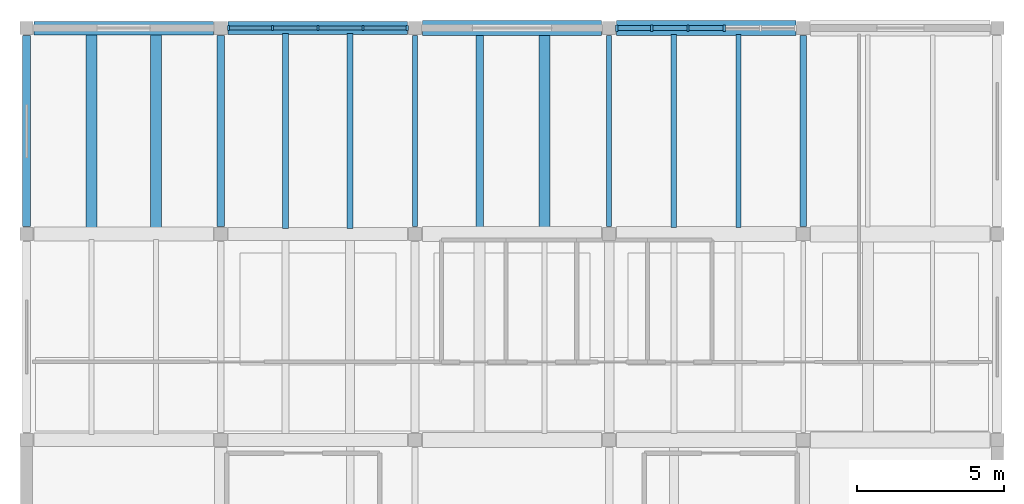
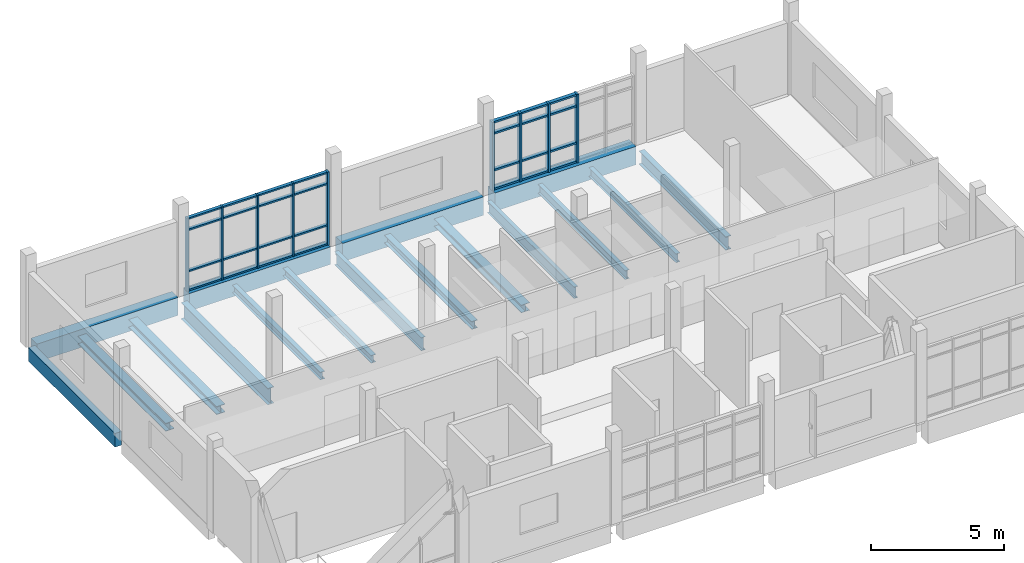
# One storey, part 4 of 10: 37 members, 17 beams, 2 elements without a shape of their own.
"""IFC4 building model written with IfcOpenShell, lengths in metres."""

from ifc_helpers import new_model, si_unit, direction, frame, origin, origin_2d, place, context, subcontext, project, spatial, rectangle, i_section, extrude, material, material_profile, profile_set, type_object, element, aggregate, save


model = new_model("IFC4")

# Units and contexts
model_context = context("Model", 3, precision=1e-05, world=origin(), true_north=direction((0.0, 1.0)))
body_context = subcontext(model_context, "Body", "Model", "MODEL_VIEW")
ifc_project = project(units=[si_unit("LENGTHUNIT", "METRE"), si_unit("AREAUNIT", "SQUARE_METRE"), si_unit("VOLUMEUNIT", "CUBIC_METRE"), si_unit("PLANEANGLEUNIT", "RADIAN"), si_unit("MASSUNIT", "GRAM", prefix="KILO")], contexts=[model_context])

# Site, building, storey
site_placement = place(None, origin())
site = spatial("IfcSite", under=ifc_project, at=site_placement, CompositionType="ELEMENT")
building_placement = place(site_placement, origin())
building = spatial("IfcBuilding", under=site, at=building_placement, Name="Ciguamira Faculty of Natural Sciences", CompositionType="ELEMENT")
storey_placement = place(building_placement, frame((0.0, 0.0, 46.199951171875)))
storey = spatial("IfcBuildingStorey", under=building, at=storey_placement, Name="L11", CompositionType="ELEMENT", Elevation=46.199951171875)

# Curtain wall, members
ifc_material_1 = material(Name="Anodized aluminium curtain wall", Category="aluminium")
curtain_wall_type_1 = type_object("IfcCurtainWallType", Name="CurtainWall_CW-05", PredefinedType="USERDEFINED", material=ifc_material_1)
curtain_wall_1_placement = place(storey_placement, origin())
curtain_wall_1 = element("IfcCurtainWall", 1, at=curtain_wall_1_placement, inside=storey, type_object=curtain_wall_type_1, Name="L11 unitised curtain wall 0173", ObjectType="UNITISED CURTAIN WALL", PredefinedType="USERDEFINED")
ifc_material_2 = material(Name="Anodized aluminium mullion", Category="aluminium")
ifc_material_profile_1 = material_profile(ifc_material_2, rectangle(XDim=0.070068359375, YDim=0.179931640625, at=origin_2d()), Name="ALU-MUL-70X180")
ifc_profile_set_1 = profile_set([ifc_material_profile_1], Name="Anodized aluminium mullion")
member_type_1 = type_object("IfcMemberType", Name="CWMullion_CWM-02", PredefinedType="MULLION", material=ifc_profile_set_1)
member_1_placement = place(storey_placement, frame((77.360107421875, 115.0, 0.0), z_axis=(0.0, 0.0, 1.0), x_axis=(1.0, 0.0, 0.0)))
member_1 = element("IfcMember", 2, at=member_1_placement, type_object=member_type_1, Name="CW-05 mullion 1", PredefinedType="MULLION", context=body_context, shape_type="SweptSolid", body=[
    extrude(rectangle(XDim=0.070068359375, YDim=0.179931640625, at=origin_2d()), origin(), (0.0, 0.0, 1.0), 3.344970703125),
])
member_2_placement = place(storey_placement, frame((78.862548828125, 115.0, 0.0), z_axis=(0.0, 0.0, 1.0), x_axis=(1.0, 0.0, 0.0)))
member_2 = element("IfcMember", 3, at=member_2_placement, type_object=member_type_1, Name="CW-05 mullion 2", PredefinedType="MULLION", context=body_context, shape_type="SweptSolid", body=[
    extrude(rectangle(XDim=0.070068359375, YDim=0.179931640625, at=origin_2d()), origin(), (0.0, 0.0, 1.0), 3.344970703125),
])
member_3_placement = place(storey_placement, frame((80.39990234375, 115.0, 0.0), z_axis=(0.0, 0.0, 1.0), x_axis=(1.0, 0.0, 0.0)))
member_3 = element("IfcMember", 4, at=member_3_placement, type_object=member_type_1, Name="CW-05 mullion 3", PredefinedType="MULLION", context=body_context, shape_type="SweptSolid", body=[
    extrude(rectangle(XDim=0.070068359375, YDim=0.179931640625, at=origin_2d()), origin(), (0.0, 0.0, 1.0), 3.344970703125),
])
member_4_placement = place(storey_placement, frame((81.9375, 115.0, 0.0), z_axis=(0.0, 0.0, 1.0), x_axis=(1.0, 0.0, 0.0)))
member_4 = element("IfcMember", 5, at=member_4_placement, type_object=member_type_1, Name="CW-05 mullion 4", PredefinedType="MULLION", context=body_context, shape_type="SweptSolid", body=[
    extrude(rectangle(XDim=0.070068359375, YDim=0.179931640625, at=origin_2d()), origin(), (0.0, 0.0, 1.0), 3.344970703125),
])
member_5_placement = place(storey_placement, frame((83.43994140625, 115.0, 0.0), z_axis=(0.0, 0.0, 1.0), x_axis=(1.0, 0.0, 0.0)))
member_5 = element("IfcMember", 6, at=member_5_placement, type_object=member_type_1, Name="CW-05 mullion 5", PredefinedType="MULLION", context=body_context, shape_type="SweptSolid", body=[
    extrude(rectangle(XDim=0.070068359375, YDim=0.179931640625, at=origin_2d()), origin(), (0.0, 0.0, 1.0), 3.344970703125),
])

curtain_wall_type_2 = type_object("IfcCurtainWallType", Name="CurtainWall_CW-06", PredefinedType="USERDEFINED", material=ifc_material_1)
curtain_wall_2_placement = place(storey_placement, origin())
curtain_wall_2 = element("IfcCurtainWall", 7, at=curtain_wall_2_placement, inside=storey, type_object=curtain_wall_type_2, Name="L11 unitised curtain wall 0174", ObjectType="UNITISED CURTAIN WALL", PredefinedType="USERDEFINED")
ifc_material_profile_2 = material_profile(ifc_material_2, rectangle(XDim=0.080078125, YDim=0.219970703125, at=origin_2d()), Name="ALU-MUL-80X220")
ifc_profile_set_2 = profile_set([ifc_material_profile_2], Name="Anodized aluminium mullion")
member_type_2 = type_object("IfcMemberType", Name="CWMullion_CWM-03", PredefinedType="MULLION", material=ifc_profile_set_2)
member_6_placement = place(storey_placement, frame((90.56494140625, 115.0, 0.0), z_axis=(0.0, 0.0, 1.0), x_axis=(1.0, 0.0, 0.0)))
member_6 = element("IfcMember", 8, at=member_6_placement, type_object=member_type_2, Name="CW-06 mullion 1", PredefinedType="MULLION", context=body_context, shape_type="SweptSolid", body=[
    extrude(rectangle(XDim=0.080078125, YDim=0.219970703125, at=origin_2d()), origin(), (0.0, 0.0, 1.0), 3.135009765625),
])
member_7_placement = place(storey_placement, frame((91.7548828125, 115.0, 0.0), z_axis=(0.0, 0.0, 1.0), x_axis=(1.0, 0.0, 0.0)))
member_7 = element("IfcMember", 9, at=member_7_placement, type_object=member_type_2, Name="CW-06 mullion 2", PredefinedType="MULLION", context=body_context, shape_type="SweptSolid", body=[
    extrude(rectangle(XDim=0.080078125, YDim=0.219970703125, at=origin_2d()), origin(), (0.0, 0.0, 1.0), 3.135009765625),
])
member_8_placement = place(storey_placement, frame((92.985107421875, 115.0, 0.0), z_axis=(0.0, 0.0, 1.0), x_axis=(1.0, 0.0, 0.0)))
member_8 = element("IfcMember", 10, at=member_8_placement, type_object=member_type_2, Name="CW-06 mullion 3", PredefinedType="MULLION", context=body_context, shape_type="SweptSolid", body=[
    extrude(rectangle(XDim=0.080078125, YDim=0.219970703125, at=origin_2d()), origin(), (0.0, 0.0, 1.0), 3.135009765625),
])
member_9_placement = place(storey_placement, frame((94.215087890625, 115.0, 0.0), z_axis=(0.0, 0.0, 1.0), x_axis=(1.0, 0.0, 0.0)))
member_9 = element("IfcMember", 11, at=member_9_placement, type_object=member_type_2, Name="CW-06 mullion 4", PredefinedType="MULLION", context=body_context, shape_type="SweptSolid", body=[
    extrude(rectangle(XDim=0.080078125, YDim=0.219970703125, at=origin_2d()), origin(), (0.0, 0.0, 1.0), 3.135009765625),
])

# Member
ifc_material_3 = material(Name="Anodized aluminium transom", Category="aluminium")
ifc_material_profile_3 = material_profile(ifc_material_3, rectangle(XDim=0.070068359375, YDim=0.139892578125, at=origin_2d()), Name="ALU-TRN-70X140")
ifc_profile_set_3 = profile_set([ifc_material_profile_3], Name="Anodized aluminium transom")
member_type_3 = type_object("IfcMemberType", Name="CWTransom_CWT-02", PredefinedType="USERDEFINED", material=ifc_profile_set_3)
member_10_placement = place(storey_placement, frame((77.39501953125, 115.0, 0.03515625), z_axis=(1.0, 0.0, 0.0), x_axis=(0.0, 0.0, 1.0)))
member_10 = element("IfcMember", 12, at=member_10_placement, type_object=member_type_3, Name="CW-05 transom 1.1", ObjectType="TRANSOM", PredefinedType="USERDEFINED", context=body_context, shape_type="SweptSolid", body=[
    extrude(rectangle(XDim=0.070068359375, YDim=0.139892578125, at=origin_2d()), origin(), (0.0, 0.0, 1.0), 1.432373046875),
])

member_11_placement = place(storey_placement, frame((77.39501953125, 115.0, 0.900146484375), z_axis=(1.0, 0.0, 0.0), x_axis=(0.0, 0.0, 1.0)))
member_11 = element("IfcMember", 13, at=member_11_placement, type_object=member_type_3, Name="CW-05 transom 1.2", ObjectType="TRANSOM", PredefinedType="USERDEFINED", context=body_context, shape_type="SweptSolid", body=[
    extrude(rectangle(XDim=0.070068359375, YDim=0.139892578125, at=origin_2d()), origin(), (0.0, 0.0, 1.0), 1.432373046875),
])

member_12_placement = place(storey_placement, frame((77.39501953125, 115.0, 2.795166015625), z_axis=(1.0, 0.0, 0.0), x_axis=(0.0, 0.0, 1.0)))
member_12 = element("IfcMember", 14, at=member_12_placement, type_object=member_type_3, Name="CW-05 transom 1.3", ObjectType="TRANSOM", PredefinedType="USERDEFINED", context=body_context, shape_type="SweptSolid", body=[
    extrude(rectangle(XDim=0.070068359375, YDim=0.139892578125, at=origin_2d()), origin(), (0.0, 0.0, 1.0), 1.432373046875),
])

member_13_placement = place(storey_placement, frame((77.39501953125, 115.0, 3.31005859375), z_axis=(1.0, 0.0, 0.0), x_axis=(0.0, 0.0, 1.0)))
member_13 = element("IfcMember", 15, at=member_13_placement, type_object=member_type_3, Name="CW-05 transom 1.4", ObjectType="TRANSOM", PredefinedType="USERDEFINED", context=body_context, shape_type="SweptSolid", body=[
    extrude(rectangle(XDim=0.070068359375, YDim=0.139892578125, at=origin_2d()), origin(), (0.0, 0.0, 1.0), 1.432373046875),
])

member_14_placement = place(storey_placement, frame((78.8974609375, 115.0, 0.03515625), z_axis=(1.0, 0.0, 0.0), x_axis=(0.0, 0.0, 1.0)))
member_14 = element("IfcMember", 16, at=member_14_placement, type_object=member_type_3, Name="CW-05 transom 2.1", ObjectType="TRANSOM", PredefinedType="USERDEFINED", context=body_context, shape_type="SweptSolid", body=[
    extrude(rectangle(XDim=0.070068359375, YDim=0.139892578125, at=origin_2d()), origin(), (0.0, 0.0, 1.0), 1.467529296875),
])

member_15_placement = place(storey_placement, frame((78.8974609375, 115.0, 0.900146484375), z_axis=(1.0, 0.0, 0.0), x_axis=(0.0, 0.0, 1.0)))
member_15 = element("IfcMember", 17, at=member_15_placement, type_object=member_type_3, Name="CW-05 transom 2.2", ObjectType="TRANSOM", PredefinedType="USERDEFINED", context=body_context, shape_type="SweptSolid", body=[
    extrude(rectangle(XDim=0.070068359375, YDim=0.139892578125, at=origin_2d()), origin(), (0.0, 0.0, 1.0), 1.467529296875),
])

member_16_placement = place(storey_placement, frame((78.8974609375, 115.0, 2.795166015625), z_axis=(1.0, 0.0, 0.0), x_axis=(0.0, 0.0, 1.0)))
member_16 = element("IfcMember", 18, at=member_16_placement, type_object=member_type_3, Name="CW-05 transom 2.3", ObjectType="TRANSOM", PredefinedType="USERDEFINED", context=body_context, shape_type="SweptSolid", body=[
    extrude(rectangle(XDim=0.070068359375, YDim=0.139892578125, at=origin_2d()), origin(), (0.0, 0.0, 1.0), 1.467529296875),
])

member_17_placement = place(storey_placement, frame((78.8974609375, 115.0, 3.31005859375), z_axis=(1.0, 0.0, 0.0), x_axis=(0.0, 0.0, 1.0)))
member_17 = element("IfcMember", 19, at=member_17_placement, type_object=member_type_3, Name="CW-05 transom 2.4", ObjectType="TRANSOM", PredefinedType="USERDEFINED", context=body_context, shape_type="SweptSolid", body=[
    extrude(rectangle(XDim=0.070068359375, YDim=0.139892578125, at=origin_2d()), origin(), (0.0, 0.0, 1.0), 1.467529296875),
])

member_18_placement = place(storey_placement, frame((80.43505859375, 115.0, 0.03515625), z_axis=(1.0, 0.0, 0.0), x_axis=(0.0, 0.0, 1.0)))
member_18 = element("IfcMember", 20, at=member_18_placement, type_object=member_type_3, Name="CW-05 transom 3.1", ObjectType="TRANSOM", PredefinedType="USERDEFINED", context=body_context, shape_type="SweptSolid", body=[
    extrude(rectangle(XDim=0.070068359375, YDim=0.139892578125, at=origin_2d()), origin(), (0.0, 0.0, 1.0), 1.467529296875),
])

member_19_placement = place(storey_placement, frame((80.43505859375, 115.0, 0.900146484375), z_axis=(1.0, 0.0, 0.0), x_axis=(0.0, 0.0, 1.0)))
member_19 = element("IfcMember", 21, at=member_19_placement, type_object=member_type_3, Name="CW-05 transom 3.2", ObjectType="TRANSOM", PredefinedType="USERDEFINED", context=body_context, shape_type="SweptSolid", body=[
    extrude(rectangle(XDim=0.070068359375, YDim=0.139892578125, at=origin_2d()), origin(), (0.0, 0.0, 1.0), 1.467529296875),
])

member_20_placement = place(storey_placement, frame((80.43505859375, 115.0, 2.795166015625), z_axis=(1.0, 0.0, 0.0), x_axis=(0.0, 0.0, 1.0)))
member_20 = element("IfcMember", 22, at=member_20_placement, type_object=member_type_3, Name="CW-05 transom 3.3", ObjectType="TRANSOM", PredefinedType="USERDEFINED", context=body_context, shape_type="SweptSolid", body=[
    extrude(rectangle(XDim=0.070068359375, YDim=0.139892578125, at=origin_2d()), origin(), (0.0, 0.0, 1.0), 1.467529296875),
])

member_21_placement = place(storey_placement, frame((80.43505859375, 115.0, 3.31005859375), z_axis=(1.0, 0.0, 0.0), x_axis=(0.0, 0.0, 1.0)))
member_21 = element("IfcMember", 23, at=member_21_placement, type_object=member_type_3, Name="CW-05 transom 3.4", ObjectType="TRANSOM", PredefinedType="USERDEFINED", context=body_context, shape_type="SweptSolid", body=[
    extrude(rectangle(XDim=0.070068359375, YDim=0.139892578125, at=origin_2d()), origin(), (0.0, 0.0, 1.0), 1.467529296875),
])

member_22_placement = place(storey_placement, frame((81.972412109375, 115.0, 0.03515625), z_axis=(1.0, 0.0, 0.0), x_axis=(0.0, 0.0, 1.0)))
member_22 = element("IfcMember", 24, at=member_22_placement, type_object=member_type_3, Name="CW-05 transom 4.1", ObjectType="TRANSOM", PredefinedType="USERDEFINED", context=body_context, shape_type="SweptSolid", body=[
    extrude(rectangle(XDim=0.070068359375, YDim=0.139892578125, at=origin_2d()), origin(), (0.0, 0.0, 1.0), 1.4326171875),
])

member_23_placement = place(storey_placement, frame((81.972412109375, 115.0, 0.900146484375), z_axis=(1.0, 0.0, 0.0), x_axis=(0.0, 0.0, 1.0)))
member_23 = element("IfcMember", 25, at=member_23_placement, type_object=member_type_3, Name="CW-05 transom 4.2", ObjectType="TRANSOM", PredefinedType="USERDEFINED", context=body_context, shape_type="SweptSolid", body=[
    extrude(rectangle(XDim=0.070068359375, YDim=0.139892578125, at=origin_2d()), origin(), (0.0, 0.0, 1.0), 1.4326171875),
])

member_24_placement = place(storey_placement, frame((81.972412109375, 115.0, 2.795166015625), z_axis=(1.0, 0.0, 0.0), x_axis=(0.0, 0.0, 1.0)))
member_24 = element("IfcMember", 26, at=member_24_placement, type_object=member_type_3, Name="CW-05 transom 4.3", ObjectType="TRANSOM", PredefinedType="USERDEFINED", context=body_context, shape_type="SweptSolid", body=[
    extrude(rectangle(XDim=0.070068359375, YDim=0.139892578125, at=origin_2d()), origin(), (0.0, 0.0, 1.0), 1.4326171875),
])

member_25_placement = place(storey_placement, frame((81.972412109375, 115.0, 3.31005859375), z_axis=(1.0, 0.0, 0.0), x_axis=(0.0, 0.0, 1.0)))
member_25 = element("IfcMember", 27, at=member_25_placement, type_object=member_type_3, Name="CW-05 transom 4.4", ObjectType="TRANSOM", PredefinedType="USERDEFINED", context=body_context, shape_type="SweptSolid", body=[
    extrude(rectangle(XDim=0.070068359375, YDim=0.139892578125, at=origin_2d()), origin(), (0.0, 0.0, 1.0), 1.4326171875),
])

aggregate(curtain_wall_1, [member_1, member_2, member_3, member_4, member_5, member_10, member_11, member_12, member_13, member_14, member_15, member_16, member_17, member_18, member_19, member_20, member_21, member_22, member_23, member_24, member_25])

ifc_material_profile_4 = material_profile(ifc_material_3, rectangle(XDim=0.080078125, YDim=0.159912109375, at=origin_2d()), Name="ALU-TRN-80X160")
ifc_profile_set_4 = profile_set([ifc_material_profile_4], Name="Anodized aluminium transom")
member_type_4 = type_object("IfcMemberType", Name="CWTransom_CWT-03", PredefinedType="USERDEFINED", material=ifc_profile_set_4)
member_26_placement = place(storey_placement, frame((90.60498046875, 115.0, 0.0400390625), z_axis=(1.0, 0.0, 0.0), x_axis=(0.0, 0.0, 1.0)))
member_26 = element("IfcMember", 28, at=member_26_placement, type_object=member_type_4, Name="CW-06 transom 1.1", ObjectType="TRANSOM", PredefinedType="USERDEFINED", context=body_context, shape_type="SweptSolid", body=[
    extrude(rectangle(XDim=0.080078125, YDim=0.159912109375, at=origin_2d()), origin(), (0.0, 0.0, 1.0), 1.110107421875),
])

member_27_placement = place(storey_placement, frame((90.60498046875, 115.0, 0.900146484375), z_axis=(1.0, 0.0, 0.0), x_axis=(0.0, 0.0, 1.0)))
member_27 = element("IfcMember", 29, at=member_27_placement, type_object=member_type_4, Name="CW-06 transom 1.2", ObjectType="TRANSOM", PredefinedType="USERDEFINED", context=body_context, shape_type="SweptSolid", body=[
    extrude(rectangle(XDim=0.080078125, YDim=0.159912109375, at=origin_2d()), origin(), (0.0, 0.0, 1.0), 1.110107421875),
])

member_28_placement = place(storey_placement, frame((90.60498046875, 115.0, 2.5849609375), z_axis=(1.0, 0.0, 0.0), x_axis=(0.0, 0.0, 1.0)))
member_28 = element("IfcMember", 30, at=member_28_placement, type_object=member_type_4, Name="CW-06 transom 1.3", ObjectType="TRANSOM", PredefinedType="USERDEFINED", context=body_context, shape_type="SweptSolid", body=[
    extrude(rectangle(XDim=0.080078125, YDim=0.159912109375, at=origin_2d()), origin(), (0.0, 0.0, 1.0), 1.110107421875),
])

member_29_placement = place(storey_placement, frame((90.60498046875, 115.0, 3.094970703125), z_axis=(1.0, 0.0, 0.0), x_axis=(0.0, 0.0, 1.0)))
member_29 = element("IfcMember", 31, at=member_29_placement, type_object=member_type_4, Name="CW-06 transom 1.4", ObjectType="TRANSOM", PredefinedType="USERDEFINED", context=body_context, shape_type="SweptSolid", body=[
    extrude(rectangle(XDim=0.080078125, YDim=0.159912109375, at=origin_2d()), origin(), (0.0, 0.0, 1.0), 1.110107421875),
])

member_30_placement = place(storey_placement, frame((91.794921875, 115.0, 0.0400390625), z_axis=(1.0, 0.0, 0.0), x_axis=(0.0, 0.0, 1.0)))
member_30 = element("IfcMember", 32, at=member_30_placement, type_object=member_type_4, Name="CW-06 transom 2.1", ObjectType="TRANSOM", PredefinedType="USERDEFINED", context=body_context, shape_type="SweptSolid", body=[
    extrude(rectangle(XDim=0.080078125, YDim=0.159912109375, at=origin_2d()), origin(), (0.0, 0.0, 1.0), 1.150146484375),
])

member_31_placement = place(storey_placement, frame((91.794921875, 115.0, 0.900146484375), z_axis=(1.0, 0.0, 0.0), x_axis=(0.0, 0.0, 1.0)))
member_31 = element("IfcMember", 33, at=member_31_placement, type_object=member_type_4, Name="CW-06 transom 2.2", ObjectType="TRANSOM", PredefinedType="USERDEFINED", context=body_context, shape_type="SweptSolid", body=[
    extrude(rectangle(XDim=0.080078125, YDim=0.159912109375, at=origin_2d()), origin(), (0.0, 0.0, 1.0), 1.150146484375),
])

member_32_placement = place(storey_placement, frame((91.794921875, 115.0, 2.5849609375), z_axis=(1.0, 0.0, 0.0), x_axis=(0.0, 0.0, 1.0)))
member_32 = element("IfcMember", 34, at=member_32_placement, type_object=member_type_4, Name="CW-06 transom 2.3", ObjectType="TRANSOM", PredefinedType="USERDEFINED", context=body_context, shape_type="SweptSolid", body=[
    extrude(rectangle(XDim=0.080078125, YDim=0.159912109375, at=origin_2d()), origin(), (0.0, 0.0, 1.0), 1.150146484375),
])

member_33_placement = place(storey_placement, frame((91.794921875, 115.0, 3.094970703125), z_axis=(1.0, 0.0, 0.0), x_axis=(0.0, 0.0, 1.0)))
member_33 = element("IfcMember", 35, at=member_33_placement, type_object=member_type_4, Name="CW-06 transom 2.4", ObjectType="TRANSOM", PredefinedType="USERDEFINED", context=body_context, shape_type="SweptSolid", body=[
    extrude(rectangle(XDim=0.080078125, YDim=0.159912109375, at=origin_2d()), origin(), (0.0, 0.0, 1.0), 1.150146484375),
])

member_34_placement = place(storey_placement, frame((93.02490234375, 115.0, 0.0400390625), z_axis=(1.0, 0.0, 0.0), x_axis=(0.0, 0.0, 1.0)))
member_34 = element("IfcMember", 36, at=member_34_placement, type_object=member_type_4, Name="CW-06 transom 3.1", ObjectType="TRANSOM", PredefinedType="USERDEFINED", context=body_context, shape_type="SweptSolid", body=[
    extrude(rectangle(XDim=0.080078125, YDim=0.159912109375, at=origin_2d()), origin(), (0.0, 0.0, 1.0), 1.150146484375),
])

member_35_placement = place(storey_placement, frame((93.02490234375, 115.0, 0.900146484375), z_axis=(1.0, 0.0, 0.0), x_axis=(0.0, 0.0, 1.0)))
member_35 = element("IfcMember", 37, at=member_35_placement, type_object=member_type_4, Name="CW-06 transom 3.2", ObjectType="TRANSOM", PredefinedType="USERDEFINED", context=body_context, shape_type="SweptSolid", body=[
    extrude(rectangle(XDim=0.080078125, YDim=0.159912109375, at=origin_2d()), origin(), (0.0, 0.0, 1.0), 1.150146484375),
])

member_36_placement = place(storey_placement, frame((93.02490234375, 115.0, 2.5849609375), z_axis=(1.0, 0.0, 0.0), x_axis=(0.0, 0.0, 1.0)))
member_36 = element("IfcMember", 38, at=member_36_placement, type_object=member_type_4, Name="CW-06 transom 3.3", ObjectType="TRANSOM", PredefinedType="USERDEFINED", context=body_context, shape_type="SweptSolid", body=[
    extrude(rectangle(XDim=0.080078125, YDim=0.159912109375, at=origin_2d()), origin(), (0.0, 0.0, 1.0), 1.150146484375),
])

member_37_placement = place(storey_placement, frame((93.02490234375, 115.0, 3.094970703125), z_axis=(1.0, 0.0, 0.0), x_axis=(0.0, 0.0, 1.0)))
member_37 = element("IfcMember", 39, at=member_37_placement, type_object=member_type_4, Name="CW-06 transom 3.4", ObjectType="TRANSOM", PredefinedType="USERDEFINED", context=body_context, shape_type="SweptSolid", body=[
    extrude(rectangle(XDim=0.080078125, YDim=0.159912109375, at=origin_2d()), origin(), (0.0, 0.0, 1.0), 1.150146484375),
])

aggregate(curtain_wall_2, [member_6, member_7, member_8, member_9, member_26, member_27, member_28, member_29, member_30, member_31, member_32, member_33, member_34, member_35, member_36, member_37])

# Beams
ifc_material_4 = material(Name="Concrete C40/50", Category="concrete")
ifc_material_profile_5 = material_profile(ifc_material_4, rectangle(XDim=0.4599609375, YDim=0.820068359375, at=origin_2d()), Name="RC-BM-460X820")
ifc_profile_set_5 = profile_set([ifc_material_profile_5], Name="Concrete C40/50")
beam_type_1 = type_object("IfcBeamType", Name="RCBeam_BG-04_RC-BM-460X820", PredefinedType="BEAM", material=ifc_profile_set_5)
beam_1_placement = place(storey_placement, frame((70.75, 115.0, -0.409912109375), z_axis=(1.0, 0.0, 0.0), x_axis=(0.0, 1.0, 0.0)))
element("IfcBeam", 40, at=beam_1_placement, inside=storey, type_object=beam_type_1, Name="L11 RC girder EW-1723", PredefinedType="BEAM", context=body_context, shape_type="SweptSolid", body=[
    extrude(rectangle(XDim=0.4599609375, YDim=0.820068359375, at=origin_2d()), origin(), (0.0, 0.0, 1.0), 6.10009765625),
])
ifc_material_profile_6 = material_profile(ifc_material_4, rectangle(XDim=0.449951171875, YDim=0.800048828125, at=origin_2d()), Name="RC-BM-450X800")
ifc_profile_set_6 = profile_set([ifc_material_profile_6], Name="Concrete C40/50")
beam_type_2 = type_object("IfcBeamType", Name="RCBeam_BG-05_RC-BM-450X800", PredefinedType="BEAM", material=ifc_profile_set_6)
beam_2_placement = place(storey_placement, frame((77.35009765625, 115.0, -0.39990234375), z_axis=(1.0, 0.0, 0.0), x_axis=(0.0, 1.0, 0.0)))
element("IfcBeam", 41, at=beam_2_placement, inside=storey, type_object=beam_type_2, Name="L11 RC girder EW-1724", PredefinedType="BEAM", context=body_context, shape_type="SweptSolid", body=[
    extrude(rectangle(XDim=0.449951171875, YDim=0.800048828125, at=origin_2d()), origin(), (0.0, 0.0, 1.0), 6.099853515625),
])
ifc_material_5 = material(Name="Precast concrete C40/50", Category="concrete")
ifc_material_profile_7 = material_profile(ifc_material_5, rectangle(XDim=0.280029296875, YDim=0.6201171875, at=origin_2d()), Name="RC-SP-280X620")
ifc_profile_set_7 = profile_set([ifc_material_profile_7], Name="Precast concrete C40/50")
beam_type_3 = type_object("IfcBeamType", Name="RCBeam_SP-01_RC-SP-280X620", PredefinedType="SPANDREL", material=ifc_profile_set_7)
beam_3_placement = place(storey_placement, frame((70.5, 108.25, -0.31005859375), z_axis=(0.0, 1.0, 0.0), x_axis=(-1.0, 0.0, 0.0)))
element("IfcBeam", 42, at=beam_3_placement, inside=storey, type_object=beam_type_3, Name="L11 girder NS-1729", PredefinedType="SPANDREL", context=body_context, shape_type="SweptSolid", body=[
    extrude(rectangle(XDim=0.280029296875, YDim=0.6201171875, at=origin_2d()), origin(), (0.0, 0.0, 1.0), 6.5),
])
ifc_material_profile_8 = material_profile(ifc_material_4, rectangle(XDim=0.52001953125, YDim=0.840087890625, at=origin_2d()), Name="RC-TB-520X840")
ifc_profile_set_8 = profile_set([ifc_material_profile_8], Name="Concrete C40/50")
beam_type_4 = type_object("IfcBeamType", Name="RCBeam_TB-02_RC-TB-520X840", PredefinedType="T_BEAM", material=ifc_profile_set_8)
beam_4_placement = place(storey_placement, frame((83.949951171875, 115.0, -0.419921875), z_axis=(1.0, 0.0, 0.0), x_axis=(0.0, 1.0, 0.0)))
element("IfcBeam", 43, at=beam_4_placement, inside=storey, type_object=beam_type_4, Name="L11 RC girder EW-1725", PredefinedType="T_BEAM", context=body_context, shape_type="SweptSolid", body=[
    extrude(rectangle(XDim=0.52001953125, YDim=0.840087890625, at=origin_2d()), origin(), (0.0, 0.0, 1.0), 6.10009765625),
])
beam_5_placement = place(storey_placement, frame((90.550048828125, 115.0, -0.419921875), z_axis=(1.0, 0.0, 0.0), x_axis=(0.0, 1.0, 0.0)))
element("IfcBeam", 44, at=beam_5_placement, inside=storey, type_object=beam_type_4, Name="L11 RC girder EW-1726", PredefinedType="T_BEAM", context=body_context, shape_type="SweptSolid", body=[
    extrude(rectangle(XDim=0.52001953125, YDim=0.840087890625, at=origin_2d()), origin(), (0.0, 0.0, 1.0), 6.099853515625),
])
ifc_material_6 = material(Name="Steel ASTM A992 Grade 50", Category="steel")
ifc_material_profile_9 = material_profile(ifc_material_6, i_section(OverallWidth=0.1650390625, OverallDepth=0.52587890625, WebThickness=0.0087890625, FlangeThickness=0.011474609375, at=origin_2d()), Name="W21X44")
ifc_profile_set_9 = profile_set([ifc_material_profile_9], Name="Steel ASTM A992 Grade 50")
beam_type_5 = type_object("IfcBeamType", Name="SteelGirder_SB-26_W21X44", PredefinedType="BEAM", material=ifc_profile_set_9)
beam_6_placement = place(storey_placement, frame((90.300048828125, 108.25, -0.52294921875), z_axis=(0.0, 1.0, 0.0), x_axis=(-1.0, 0.0, 0.0)))
element("IfcBeam", 45, at=beam_6_placement, inside=storey, type_object=beam_type_5, Name="L11 girder NS-1737", PredefinedType="BEAM", context=body_context, shape_type="SweptSolid", body=[
    extrude(i_section(OverallWidth=0.1650390625, OverallDepth=0.52587890625, WebThickness=0.0087890625, FlangeThickness=0.011474609375, at=origin_2d()), origin(), (0.0, 0.0, 1.0), 6.5),
])
ifc_material_profile_10 = material_profile(ifc_material_6, i_section(OverallWidth=0.177978515625, OverallDepth=0.599365234375, WebThickness=0.010009765625, FlangeThickness=0.012939453125, at=origin_2d()), Name="W24X55")
ifc_profile_set_10 = profile_set([ifc_material_profile_10], Name="Steel ASTM A992 Grade 50")
beam_type_6 = type_object("IfcBeamType", Name="SteelGirder_SB-31_W24X55", PredefinedType="BEAM", material=ifc_profile_set_10)
beam_7_placement = place(storey_placement, frame((83.699951171875, 108.25, -0.5595703125), z_axis=(0.0, 1.0, 0.0), x_axis=(-1.0, 0.0, 0.0)))
element("IfcBeam", 46, at=beam_7_placement, inside=storey, type_object=beam_type_6, Name="L11 girder NS-1734", PredefinedType="BEAM", context=body_context, shape_type="SweptSolid", body=[
    extrude(i_section(OverallWidth=0.177978515625, OverallDepth=0.599365234375, WebThickness=0.010009765625, FlangeThickness=0.012939453125, at=origin_2d()), origin(), (0.0, 0.0, 1.0), 6.5),
])
ifc_material_profile_11 = material_profile(ifc_material_6, i_section(OverallWidth=0.22900390625, OverallDepth=0.612060546875, WebThickness=0.011962890625, FlangeThickness=0.01953125, at=origin_2d()), Name="W24X84")
ifc_profile_set_11 = profile_set([ifc_material_profile_11], Name="Steel ASTM A992 Grade 50")
beam_type_7 = type_object("IfcBeamType", Name="SteelGirder_SB-33_W24X84", PredefinedType="BEAM", material=ifc_profile_set_11)
beam_8_placement = place(storey_placement, frame((96.89990234375, 108.25, -0.566162109375), z_axis=(0.0, 1.0, 0.0), x_axis=(-1.0, 0.0, 0.0)))
element("IfcBeam", 47, at=beam_8_placement, inside=storey, type_object=beam_type_7, Name="L11 girder NS-1739", PredefinedType="BEAM", context=body_context, shape_type="SweptSolid", body=[
    extrude(i_section(OverallWidth=0.22900390625, OverallDepth=0.612060546875, WebThickness=0.011962890625, FlangeThickness=0.01953125, at=origin_2d()), origin(), (0.0, 0.0, 1.0), 6.5),
])
ifc_material_profile_12 = material_profile(ifc_material_6, i_section(OverallWidth=0.2666015625, OverallDepth=0.75439453125, WebThickness=0.01318359375, FlangeThickness=0.01708984375, at=origin_2d()), Name="W30X99")
ifc_profile_set_12 = profile_set([ifc_material_profile_12], Name="Steel ASTM A992 Grade 50")
beam_type_8 = type_object("IfcBeamType", Name="SteelGirder_SB-35_W30X99", PredefinedType="BEAM", material=ifc_profile_set_12)
beam_9_placement = place(storey_placement, frame((77.10009765625, 108.25, -0.63720703125), z_axis=(0.0, 1.0, 0.0), x_axis=(-1.0, 0.0, 0.0)))
element("IfcBeam", 48, at=beam_9_placement, inside=storey, type_object=beam_type_8, Name="L11 girder NS-1731", PredefinedType="BEAM", context=body_context, shape_type="SweptSolid", body=[
    extrude(i_section(OverallWidth=0.2666015625, OverallDepth=0.75439453125, WebThickness=0.01318359375, FlangeThickness=0.01708984375, at=origin_2d()), origin(), (0.0, 0.0, 1.0), 6.5),
])
ifc_material_profile_13 = material_profile(ifc_material_6, i_section(OverallWidth=0.370849609375, OverallDepth=0.36328125, WebThickness=0.013427734375, FlangeThickness=0.021728515625, at=origin_2d()), Name="W14X109")
ifc_profile_set_13 = profile_set([ifc_material_profile_13], Name="Steel ASTM A992 Grade 50")
beam_type_9 = type_object("IfcBeamType", Name="SteelJoist_SJ-09_W14X109", PredefinedType="JOIST", material=ifc_profile_set_13)
beam_10_placement = place(storey_placement, frame((72.699951171875, 108.18994140625, -0.441650390625), z_axis=(0.0, 1.0, 0.0), x_axis=(-1.0, 0.0, 0.0)))
element("IfcBeam", 49, at=beam_10_placement, inside=storey, type_object=beam_type_9, Name="L11 composite steel joist 01530", PredefinedType="JOIST", context=body_context, shape_type="SweptSolid", body=[
    extrude(i_section(OverallWidth=0.370849609375, OverallDepth=0.36328125, WebThickness=0.013427734375, FlangeThickness=0.021728515625, at=origin_2d()), origin(), (0.0, 0.0, 1.0), 6.6201171875),
])
ifc_material_profile_14 = material_profile(ifc_material_6, i_section(OverallWidth=0.373291015625, OverallDepth=0.373291015625, WebThickness=0.016357421875, FlangeThickness=0.026123046875, at=origin_2d()), Name="W14X132")
ifc_profile_set_14 = profile_set([ifc_material_profile_14], Name="Steel ASTM A992 Grade 50")
beam_type_10 = type_object("IfcBeamType", Name="SteelJoist_SJ-10_W14X132", PredefinedType="JOIST", material=ifc_profile_set_14)
beam_11_placement = place(storey_placement, frame((74.89990234375, 108.18994140625, -0.446533203125), z_axis=(0.0, 1.0, 0.0), x_axis=(-1.0, 0.0, 0.0)))
element("IfcBeam", 50, at=beam_11_placement, inside=storey, type_object=beam_type_10, Name="L11 composite steel joist 01531", PredefinedType="JOIST", context=body_context, shape_type="SweptSolid", body=[
    extrude(i_section(OverallWidth=0.373291015625, OverallDepth=0.373291015625, WebThickness=0.016357421875, FlangeThickness=0.026123046875, at=origin_2d()), origin(), (0.0, 0.0, 1.0), 6.6201171875),
])
ifc_material_profile_15 = material_profile(ifc_material_6, i_section(OverallWidth=0.203125, OverallDepth=0.347900390625, WebThickness=0.0078125, FlangeThickness=0.013427734375, at=origin_2d()), Name="W14X43")
ifc_profile_set_15 = profile_set([ifc_material_profile_15], Name="Steel ASTM A992 Grade 50")
beam_type_11 = type_object("IfcBeamType", Name="SteelJoist_SJ-12_W14X43", PredefinedType="JOIST", material=ifc_profile_set_15)
beam_12_placement = place(storey_placement, frame((79.300048828125, 108.18505859375, -0.433837890625), z_axis=(0.0, 1.0, 0.0), x_axis=(-1.0, 0.0, 0.0)))
element("IfcBeam", 51, at=beam_12_placement, inside=storey, type_object=beam_type_11, Name="L11 composite steel joist 01535", PredefinedType="JOIST", context=body_context, shape_type="SweptSolid", body=[
    extrude(i_section(OverallWidth=0.203125, OverallDepth=0.347900390625, WebThickness=0.0078125, FlangeThickness=0.013427734375, at=origin_2d()), origin(), (0.0, 0.0, 1.0), 6.6298828125),
])
ifc_material_profile_16 = material_profile(ifc_material_6, i_section(OverallWidth=0.204833984375, OverallDepth=0.35302734375, WebThickness=0.00927734375, FlangeThickness=0.016845703125, at=origin_2d()), Name="W14X53")
ifc_profile_set_16 = profile_set([ifc_material_profile_16], Name="Steel ASTM A992 Grade 50")
beam_type_12 = type_object("IfcBeamType", Name="SteelJoist_SJ-13_W14X53", PredefinedType="JOIST", material=ifc_profile_set_16)
beam_13_placement = place(storey_placement, frame((81.5, 108.18505859375, -0.4365234375), z_axis=(0.0, 1.0, 0.0), x_axis=(-1.0, 0.0, 0.0)))
element("IfcBeam", 52, at=beam_13_placement, inside=storey, type_object=beam_type_12, Name="L11 composite steel joist 01536", PredefinedType="JOIST", context=body_context, shape_type="SweptSolid", body=[
    extrude(i_section(OverallWidth=0.204833984375, OverallDepth=0.35302734375, WebThickness=0.00927734375, FlangeThickness=0.016845703125, at=origin_2d()), origin(), (0.0, 0.0, 1.0), 6.6298828125),
])
ifc_material_profile_17 = material_profile(ifc_material_6, i_section(OverallWidth=0.256591796875, OverallDepth=0.36328125, WebThickness=0.012939453125, FlangeThickness=0.021728515625, at=origin_2d()), Name="W14X82")
ifc_profile_set_17 = profile_set([ifc_material_profile_17], Name="Steel ASTM A992 Grade 50")
beam_type_13 = type_object("IfcBeamType", Name="SteelJoist_SJ-15_W14X82", PredefinedType="JOIST", material=ifc_profile_set_17)
beam_14_placement = place(storey_placement, frame((85.89990234375, 108.219970703125, -0.441650390625), z_axis=(0.0, 1.0, 0.0), x_axis=(-1.0, 0.0, 0.0)))
element("IfcBeam", 53, at=beam_14_placement, inside=storey, type_object=beam_type_13, Name="L11 composite steel joist 01539", PredefinedType="JOIST", context=body_context, shape_type="SweptSolid", body=[
    extrude(i_section(OverallWidth=0.256591796875, OverallDepth=0.36328125, WebThickness=0.012939453125, FlangeThickness=0.021728515625, at=origin_2d()), origin(), (0.0, 0.0, 1.0), 6.56005859375),
])
ifc_material_profile_18 = material_profile(ifc_material_6, i_section(OverallWidth=0.368408203125, OverallDepth=0.355712890625, WebThickness=0.01123046875, FlangeThickness=0.01806640625, at=origin_2d()), Name="W14X90")
ifc_profile_set_18 = profile_set([ifc_material_profile_18], Name="Steel ASTM A992 Grade 50")
beam_type_14 = type_object("IfcBeamType", Name="SteelJoist_SJ-16_W14X90", PredefinedType="JOIST", material=ifc_profile_set_18)
beam_15_placement = place(storey_placement, frame((88.10009765625, 108.219970703125, -0.437744140625), z_axis=(0.0, 1.0, 0.0), x_axis=(-1.0, 0.0, 0.0)))
element("IfcBeam", 54, at=beam_15_placement, inside=storey, type_object=beam_type_14, Name="L11 composite steel joist 01540", PredefinedType="JOIST", context=body_context, shape_type="SweptSolid", body=[
    extrude(i_section(OverallWidth=0.368408203125, OverallDepth=0.355712890625, WebThickness=0.01123046875, FlangeThickness=0.01806640625, at=origin_2d()), origin(), (0.0, 0.0, 1.0), 6.56005859375),
])
ifc_material_profile_19 = material_profile(ifc_material_6, i_section(OverallWidth=0.177490234375, OverallDepth=0.40380859375, WebThickness=0.007568359375, FlangeThickness=0.010986328125, at=origin_2d()), Name="W16X36")
ifc_profile_set_19 = profile_set([ifc_material_profile_19], Name="Steel ASTM A992 Grade 50")
beam_type_15 = type_object("IfcBeamType", Name="SteelJoist_SJ-18_W16X36", PredefinedType="JOIST", material=ifc_profile_set_19)
beam_16_placement = place(storey_placement, frame((92.5, 108.219970703125, -0.4619140625), z_axis=(0.0, 1.0, 0.0), x_axis=(-1.0, 0.0, 0.0)))
element("IfcBeam", 55, at=beam_16_placement, inside=storey, type_object=beam_type_15, Name="L11 composite steel joist 01544", PredefinedType="JOIST", context=body_context, shape_type="SweptSolid", body=[
    extrude(i_section(OverallWidth=0.177490234375, OverallDepth=0.40380859375, WebThickness=0.007568359375, FlangeThickness=0.010986328125, at=origin_2d()), origin(), (0.0, 0.0, 1.0), 6.56005859375),
])
ifc_material_profile_20 = material_profile(ifc_material_6, i_section(OverallWidth=0.1787109375, OverallDepth=0.408935546875, WebThickness=0.0087890625, FlangeThickness=0.014404296875, at=origin_2d()), Name="W16X45")
ifc_profile_set_20 = profile_set([ifc_material_profile_20], Name="Steel ASTM A992 Grade 50")
beam_type_16 = type_object("IfcBeamType", Name="SteelJoist_SJ-19_W16X45", PredefinedType="JOIST", material=ifc_profile_set_20)
beam_17_placement = place(storey_placement, frame((94.699951171875, 108.219970703125, -0.46435546875), z_axis=(0.0, 1.0, 0.0), x_axis=(-1.0, 0.0, 0.0)))
element("IfcBeam", 56, at=beam_17_placement, inside=storey, type_object=beam_type_16, Name="L11 composite steel joist 01545", PredefinedType="JOIST", context=body_context, shape_type="SweptSolid", body=[
    extrude(i_section(OverallWidth=0.1787109375, OverallDepth=0.408935546875, WebThickness=0.0087890625, FlangeThickness=0.014404296875, at=origin_2d()), origin(), (0.0, 0.0, 1.0), 6.56005859375),
])

save(model, "model.ifc")
